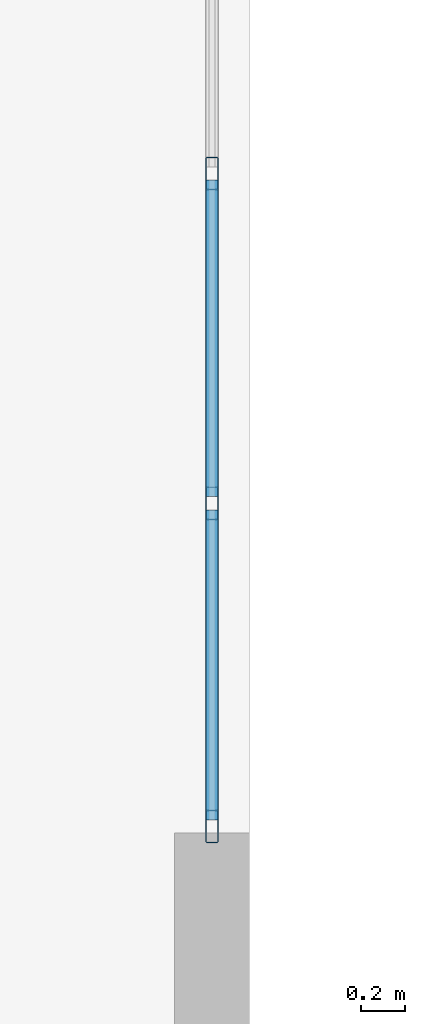
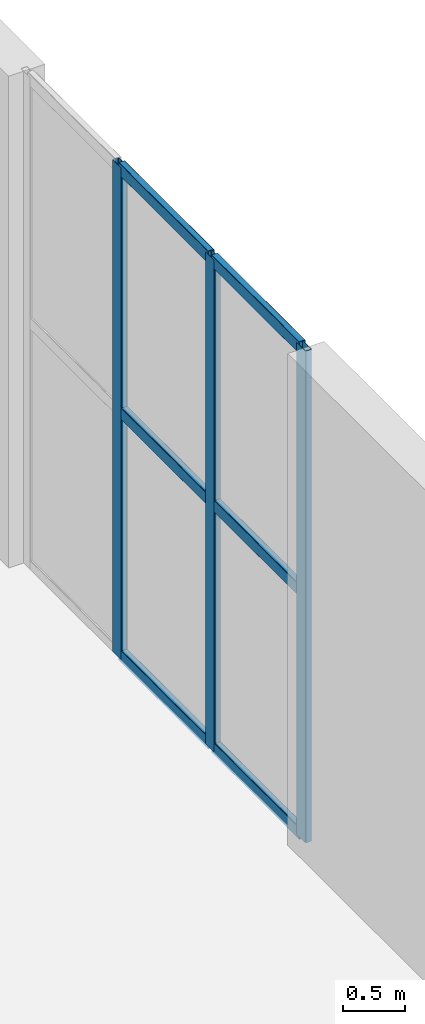
# One storey, part 2 of 10: 9 members, 1 element without a shape of its own.
"""IFC4 building model written with IfcOpenShell, lengths in metres."""

from ifc_helpers import new_model, entity, si_unit, converted_unit, direction, frame, origin_with_axes, origin_2d_with_axis, place, context, subcontext, project, spatial, hollow_rectangle, extrude, material, material_profile, profile_set, type_object, element, aggregate, save


model = new_model("IFC4")

# Units and contexts
model_context = context("Model", 3, precision=1e-05, world=origin_with_axes(), true_north=direction((0.0, 1.0)))
body_context = subcontext(model_context, "Body", "Model", "MODEL_VIEW")
ifc_project = project(units=[si_unit("LENGTHUNIT", "METRE"), si_unit("AREAUNIT", "SQUARE_METRE"), si_unit("VOLUMEUNIT", "CUBIC_METRE"), converted_unit("PLANEANGLEUNIT", "DEGREE", entity("IfcPlaneAngleMeasure", 0.017453292519943295), si_unit("PLANEANGLEUNIT", "RADIAN"), dimensions=[0, 0, 0, 0, 0, 0, 0]), si_unit("MASSUNIT", "GRAM", prefix="KILO"), si_unit("THERMODYNAMICTEMPERATUREUNIT", "KELVIN")], contexts=[model_context])

# Site, building, storey
site_placement = place(None, origin_with_axes())
site = spatial("IfcSite", under=ifc_project, at=site_placement, CompositionType="ELEMENT")
building_placement = place(site_placement, origin_with_axes())
building = spatial("IfcBuilding", under=site, at=building_placement, Name="Varnlund Millrace Tower", CompositionType="ELEMENT")
storey_placement = place(building_placement, frame((0.0, 0.0, 303.6), z_axis=(0.0, 0.0, 1.0), x_axis=(1.0, 0.0, 0.0)))
storey = spatial("IfcBuildingStorey", under=building, at=storey_placement, Name="L75", CompositionType="ELEMENT", Elevation=303.6)

# Curtain wall, members
ifc_material_1 = material(Name="Thermally broken architectural bronze curtain wall", Category="aluminium")
curtain_wall_type = type_object("IfcCurtainWallType", Name="Type-CW-Sys5-SkyLobby2Pool", PredefinedType="NOTDEFINED", material=ifc_material_1)
curtain_wall_placement = place(storey_placement, frame((31.03, 33.25, 0.0), z_axis=(0.0, 0.0, 1.0), x_axis=(1.0, 0.0, 0.0)))
curtain_wall = element("IfcCurtainWall", 1, at=curtain_wall_placement, inside=storey, type_object=curtain_wall_type, Name="Type-CW-Sys5-SkyLobby2Pool", PredefinedType="NOTDEFINED")
ifc_material_2 = material(Name="Architectural bronze aluminium alloy 6063-T6", Category="aluminium")
ifc_material_profile_1 = material_profile(ifc_material_2, hollow_rectangle(XDim=0.06, YDim=0.15, WallThickness=0.004, InnerFilletRadius=0.004, OuterFilletRadius=0.008, at=origin_2d_with_axis()), Name="Architectural bronze aluminium alloy 6063-T6")
ifc_profile_set_1 = profile_set([ifc_material_profile_1], Name="Architectural bronze aluminium alloy 6063-T6")
member_type_1 = type_object("IfcMemberType", Name="Type-CW-Mullion-60X150", PredefinedType="MULLION", material=ifc_profile_set_1)
member_1_placement = place(storey_placement, frame((31.03, 31.75, 0.0), z_axis=(0.0, 0.0, 1.0), x_axis=(1.0, 0.0, 0.0)))
member_1 = element("IfcMember", 2, at=member_1_placement, type_object=member_type_1, Name="CW-05 mullion 2", PredefinedType="MULLION", context=body_context, shape_type="SweptSolid", body=[
    extrude(hollow_rectangle(XDim=0.06, YDim=0.15, WallThickness=0.004, InnerFilletRadius=0.004, OuterFilletRadius=0.008, at=origin_2d_with_axis()), origin_with_axes(), (0.0, 0.0, 1.0), 4.84),
])
member_2_placement = place(storey_placement, frame((31.03, 30.25, 0.0), z_axis=(0.0, 0.0, 1.0), x_axis=(1.0, 0.0, 0.0)))
member_2 = element("IfcMember", 3, at=member_2_placement, type_object=member_type_1, Name="CW-05 mullion 3", PredefinedType="MULLION", context=body_context, shape_type="SweptSolid", body=[
    extrude(hollow_rectangle(XDim=0.06, YDim=0.15, WallThickness=0.004, InnerFilletRadius=0.004, OuterFilletRadius=0.008, at=origin_2d_with_axis()), origin_with_axes(), (0.0, 0.0, 1.0), 4.84),
])
member_3_placement = place(storey_placement, frame((31.03, 28.78, 0.0), z_axis=(0.0, 0.0, 1.0), x_axis=(1.0, 0.0, 0.0)))
member_3 = element("IfcMember", 4, at=member_3_placement, type_object=member_type_1, Name="CW-05 mullion 4", PredefinedType="MULLION", context=body_context, shape_type="SweptSolid", body=[
    extrude(hollow_rectangle(XDim=0.06, YDim=0.15, WallThickness=0.004, InnerFilletRadius=0.004, OuterFilletRadius=0.008, at=origin_2d_with_axis()), origin_with_axes(), (0.0, 0.0, 1.0), 4.84),
])
ifc_material_profile_2 = material_profile(ifc_material_2, hollow_rectangle(XDim=0.06, YDim=0.12, WallThickness=0.004, InnerFilletRadius=0.004, OuterFilletRadius=0.008, at=origin_2d_with_axis()), Name="Architectural bronze aluminium alloy 6063-T6")
ifc_profile_set_2 = profile_set([ifc_material_profile_2], Name="Architectural bronze aluminium alloy 6063-T6")
member_type_2 = type_object("IfcMemberType", Name="Type-CW-Transom-60X120", PredefinedType="USERDEFINED", material=ifc_profile_set_2)
member_4_placement = place(storey_placement, frame((31.03, 31.72, 0.03), z_axis=(0.0, -1.0, 0.0), x_axis=(1.0, 0.0, 0.0)))
member_4 = element("IfcMember", 5, at=member_4_placement, type_object=member_type_2, Name="CW-05 transom 2.1", ObjectType="TRANSOM", PredefinedType="USERDEFINED", context=body_context, shape_type="SweptSolid", body=[
    extrude(hollow_rectangle(XDim=0.06, YDim=0.12, WallThickness=0.004, InnerFilletRadius=0.004, OuterFilletRadius=0.008, at=origin_2d_with_axis()), origin_with_axes(), (0.0, 0.0, 1.0), 1.44),
])
member_5_placement = place(storey_placement, frame((31.03, 31.72, 2.42), z_axis=(0.0, -1.0, 0.0), x_axis=(1.0, 0.0, 0.0)))
member_5 = element("IfcMember", 6, at=member_5_placement, type_object=member_type_2, Name="CW-05 transom 2.2", ObjectType="TRANSOM", PredefinedType="USERDEFINED", context=body_context, shape_type="SweptSolid", body=[
    extrude(hollow_rectangle(XDim=0.06, YDim=0.12, WallThickness=0.004, InnerFilletRadius=0.004, OuterFilletRadius=0.008, at=origin_2d_with_axis()), origin_with_axes(), (0.0, 0.0, 1.0), 1.44),
])
member_6_placement = place(storey_placement, frame((31.03, 31.72, 4.81), z_axis=(0.0, -1.0, 0.0), x_axis=(1.0, 0.0, 0.0)))
member_6 = element("IfcMember", 7, at=member_6_placement, type_object=member_type_2, Name="CW-05 transom 2.3", ObjectType="TRANSOM", PredefinedType="USERDEFINED", context=body_context, shape_type="SweptSolid", body=[
    extrude(hollow_rectangle(XDim=0.06, YDim=0.12, WallThickness=0.004, InnerFilletRadius=0.004, OuterFilletRadius=0.008, at=origin_2d_with_axis()), origin_with_axes(), (0.0, 0.0, 1.0), 1.44),
])
member_7_placement = place(storey_placement, frame((31.03, 30.22, 0.03), z_axis=(0.0, -1.0, 0.0), x_axis=(1.0, 0.0, 0.0)))
member_7 = element("IfcMember", 8, at=member_7_placement, type_object=member_type_2, Name="CW-05 transom 3.1", ObjectType="TRANSOM", PredefinedType="USERDEFINED", context=body_context, shape_type="SweptSolid", body=[
    extrude(hollow_rectangle(XDim=0.06, YDim=0.12, WallThickness=0.004, InnerFilletRadius=0.004, OuterFilletRadius=0.008, at=origin_2d_with_axis()), origin_with_axes(), (0.0, 0.0, 1.0), 1.41),
])
member_8_placement = place(storey_placement, frame((31.03, 30.22, 2.42), z_axis=(0.0, -1.0, 0.0), x_axis=(1.0, 0.0, 0.0)))
member_8 = element("IfcMember", 9, at=member_8_placement, type_object=member_type_2, Name="CW-05 transom 3.2", ObjectType="TRANSOM", PredefinedType="USERDEFINED", context=body_context, shape_type="SweptSolid", body=[
    extrude(hollow_rectangle(XDim=0.06, YDim=0.12, WallThickness=0.004, InnerFilletRadius=0.004, OuterFilletRadius=0.008, at=origin_2d_with_axis()), origin_with_axes(), (0.0, 0.0, 1.0), 1.41),
])
member_9_placement = place(storey_placement, frame((31.03, 30.22, 4.81), z_axis=(0.0, -1.0, 0.0), x_axis=(1.0, 0.0, 0.0)))
member_9 = element("IfcMember", 10, at=member_9_placement, type_object=member_type_2, Name="CW-05 transom 3.3", ObjectType="TRANSOM", PredefinedType="USERDEFINED", context=body_context, shape_type="SweptSolid", body=[
    extrude(hollow_rectangle(XDim=0.06, YDim=0.12, WallThickness=0.004, InnerFilletRadius=0.004, OuterFilletRadius=0.008, at=origin_2d_with_axis()), origin_with_axes(), (0.0, 0.0, 1.0), 1.41),
])
aggregate(curtain_wall, [member_1, member_2, member_3, member_4, member_5, member_6, member_7, member_8, member_9])

save(model, "model.ifc")
